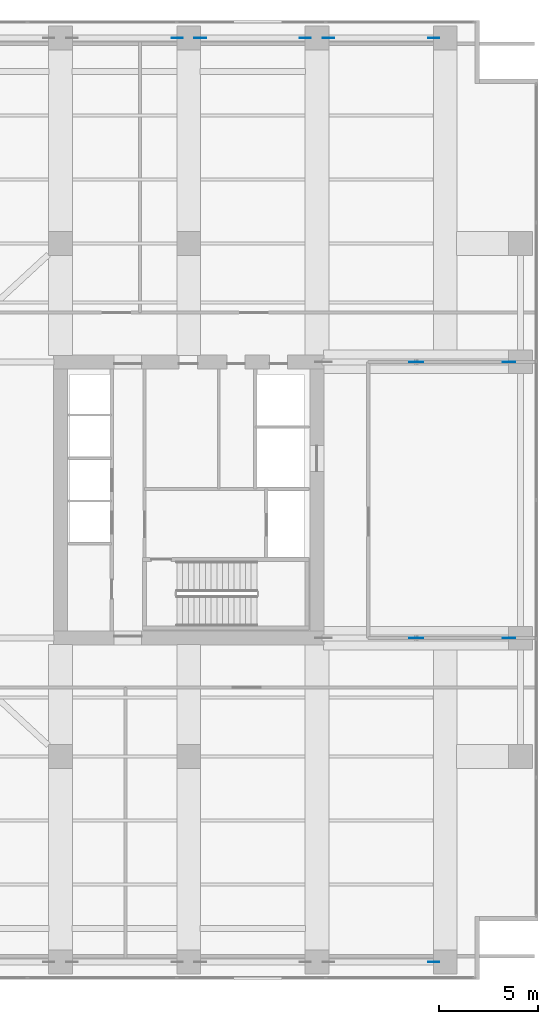
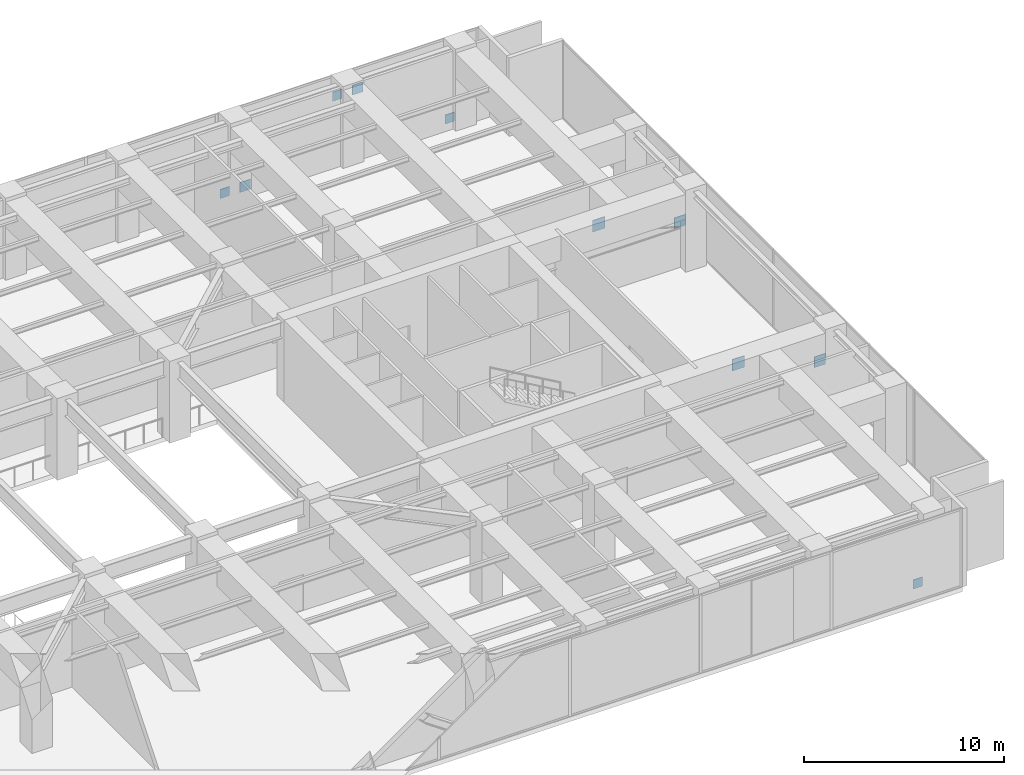
# One storey, part 20 of 28: 10 plates.
"""IFC4 building model written with IfcOpenShell, lengths in metres."""

import ifcopenshell
import ifcopenshell.guid

model = None  # the IFC model being written
_history = None  # IfcOwnerHistory: only IFC2X3 demands one
_inside = {}  # id of a spatial element -> (the spatial element, [elements in it])
_under = {}  # id of a project, library or spatial element -> (it, [spatial elements below it])
_declared = {}  # id of a project -> (the project, [libraries it declares])
_typed = {}  # id of a type object -> (the type object, [elements of that type])
_made_of = {}  # id of a material, layer set ... -> (it, [elements and type objects made of it])


def new_model(schema):
    """Start an empty IFC model of exactly this schema.

    Asked for "IFC4X3", IfcOpenShell would pick the latest addendum, in which some entities
    have other attributes; the version numbers below select the first issue.
    IFC2X3 requires an IfcOwnerHistory on every rooted entity: one is made here for all.
    """
    global model, _history
    if schema == "IFC4X3":
        model = ifcopenshell.file(schema_version=(4, 3, 0, 0))
    else:
        model = ifcopenshell.file(schema=schema)
    _inside.clear()
    _under.clear()
    _declared.clear()
    _typed.clear()
    _made_of.clear()
    _history = None
    if model.schema == "IFC2X3":
        org = make("IfcOrganization", Name="unknown")
        user = make(
            "IfcPersonAndOrganization",
            ThePerson=make("IfcPerson", FamilyName="unknown"),
            TheOrganization=org,
        )
        app = make(
            "IfcApplication",
            ApplicationDeveloper=org,
            Version="unknown",
            ApplicationFullName="unknown",
            ApplicationIdentifier="unknown",
        )
        _history = make(
            "IfcOwnerHistory",
            OwningUser=user,
            OwningApplication=app,
            ChangeAction="ADDED",
            CreationDate=0,
        )
    return model


def make(cls, **values):
    """One entity of the class cls with the attributes given. An attribute that is None is left unset."""
    return model.create_entity(
        cls, **{name: value for name, value in values.items() if value is not None}
    )


def rooted(cls, **values):
    """An entity with a GlobalId (a new one), such as an element, a storey or a relation."""
    return make(cls, GlobalId=ifcopenshell.guid.new(), OwnerHistory=_history, **values)


def si_unit(unit_type, name, prefix=None):
    """IfcSIUnit, for example si_unit("LENGTHUNIT", "METRE", prefix="MILLI")."""
    return make("IfcSIUnit", UnitType=unit_type, Prefix=prefix, Name=name)


def assignment(units):
    """IfcUnitAssignment: the units of a project."""
    return None if units is None else make("IfcUnitAssignment", Units=units)


def point(xyz):
    """IfcCartesianPoint."""
    return None if xyz is None else make("IfcCartesianPoint", Coordinates=xyz)


def direction(xyz):
    """IfcDirection."""
    return None if xyz is None else make("IfcDirection", DirectionRatios=xyz)


def frame(location, z_axis=None, x_axis=None):
    """IfcAxis2Placement3D, a coordinate frame: its origin and axes. An axis left out is left unset."""
    return make(
        "IfcAxis2Placement3D",
        Location=point(location),
        Axis=direction(z_axis),
        RefDirection=direction(x_axis),
    )


def frame_2d(location, x_axis=None):
    """IfcAxis2Placement2D, a coordinate frame in the plane: its origin and x axis."""
    return make(
        "IfcAxis2Placement2D", Location=point(location), RefDirection=direction(x_axis)
    )


def origin():
    """The frame at (0, 0, 0) with its axes left unset."""
    return frame((0.0, 0.0, 0.0))


def origin_2d():
    """The frame at (0, 0) in the plane with its x axis left unset."""
    return frame_2d((0.0, 0.0))


def place(relative_to, where):
    """IfcLocalPlacement: puts the frame where relative to a parent placement (None: the world)."""
    return make(
        "IfcLocalPlacement", PlacementRelTo=relative_to, RelativePlacement=where
    )


def context(
    kind, dimensions, precision=None, world=None, true_north=None, identifier=None
):
    """IfcGeometricRepresentationContext, for example the 3D "Model" context."""
    return make(
        "IfcGeometricRepresentationContext",
        ContextIdentifier=identifier,
        ContextType=kind,
        CoordinateSpaceDimension=dimensions,
        Precision=precision,
        WorldCoordinateSystem=world,
        TrueNorth=true_north,
    )


def subcontext(parent, identifier, kind, view, scale=None):
    """IfcGeometricRepresentationSubContext, for example "Body" below "Model"."""
    return make(
        "IfcGeometricRepresentationSubContext",
        ContextIdentifier=identifier,
        ContextType=kind,
        ParentContext=parent,
        TargetScale=scale,
        TargetView=view,
    )


def project(units=None, contexts=None):
    """IfcProject with its units and contexts."""
    return rooted(
        "IfcProject",
        Name="project",
        RepresentationContexts=contexts,
        UnitsInContext=assignment(units),
    )


def spatial(cls, under=None, at=None, **own):
    """A site, building, storey or space (cls), placed at a placement, below another one or the project."""
    s = rooted(cls, ObjectPlacement=at, **own)
    if under is not None:
        _under.setdefault(under.id(), (under, []))[1].append(s)
    return s


def profile(cls, at=None, kind="AREA", **sizes):
    """A parametric profile (cls). Its sizes go by their IFC names, for example OverallWidth=200.0."""
    return make(cls, ProfileType=kind, Position=at, **sizes)


def rectangle(**sizes):
    """IfcRectangleProfileDef."""
    return profile("IfcRectangleProfileDef", **sizes)


def extrude(swept, where, along, depth):
    """IfcExtrudedAreaSolid: the profile swept, set in the frame where, extruded along a direction by depth."""
    return make(
        "IfcExtrudedAreaSolid",
        SweptArea=swept,
        Position=where,
        ExtrudedDirection=direction(along),
        Depth=depth,
    )


def shape(context_of_items, identifier, shape_type, items):
    """IfcShapeRepresentation: the items that make up one representation, for example the "Body"."""
    return make(
        "IfcShapeRepresentation",
        ContextOfItems=context_of_items,
        RepresentationIdentifier=identifier,
        RepresentationType=shape_type,
        Items=items,
    )


def material(Name=None, Category=None):
    """IfcMaterial."""
    return make("IfcMaterial", Name=Name, Category=Category)


def layer(
    of_material, thickness, ventilated=None, Name=None, Category=None, Priority=None
):
    """IfcMaterialLayer: one layer of a wall or slab, of a material (None: an air gap)."""
    return make(
        "IfcMaterialLayer",
        Material=of_material,
        LayerThickness=thickness,
        IsVentilated=ventilated,
        Name=Name,
        Category=Category,
        Priority=Priority,
    )


def layer_set(layers, Name=None):
    """IfcMaterialLayerSet."""
    return make("IfcMaterialLayerSet", MaterialLayers=layers, LayerSetName=Name)


def made_of(thing, what):
    """Note that an element or type object is made of a material, layer set ...; save() writes the relation."""
    if what is not None:
        _made_of.setdefault(what.id(), (what, []))[1].append(thing)
    return thing


def type_object(cls, material=None, **own):
    """A type object (cls), such as IfcWallType, which elements share."""
    return made_of(rooted(cls, **own), material)


def element(
    cls,
    number,
    at=None,
    inside=None,
    cuts=None,
    type_object=None,
    material=None,
    context=None,
    identifier="Body",
    shape_type=None,
    held_by="IfcProductDefinitionShape",
    body=None,
    shapes=None,
    **own,
):
    """One element of the class cls, such as IfcWall. Its Tag is "e" and its number.

    at: its placement. inside: the storey or other place that contains it. cuts: it is an
    opening in that element (IfcRelVoidsElement). A single representation is given by context,
    identifier, shape_type and body (its items); several are given by shapes. held_by: the class
    of the entity that holds the representations. save() writes the other relations.
    """
    e = rooted(cls, Tag="e%d" % number, ObjectPlacement=at, **own)
    if body is not None:
        shapes = [shape(context, identifier, shape_type, body)]
    if shapes is not None:
        e.Representation = make(held_by, Representations=shapes)
    if inside is not None:
        _inside.setdefault(inside.id(), (inside, []))[1].append(e)
    if cuts is not None:
        rooted(
            "IfcRelVoidsElement", RelatingBuildingElement=cuts, RelatedOpeningElement=e
        )
    if type_object is not None:
        _typed.setdefault(type_object.id(), (type_object, []))[1].append(e)
    return made_of(e, material)


def aggregate(whole, parts):
    """IfcRelAggregates: a whole, such as a stair, and the parts it consists of."""
    return rooted("IfcRelAggregates", RelatingObject=whole, RelatedObjects=parts)


def save(model, path):
    """Write the relations noted so far, then the file.

    IfcRelAggregates (storeys below a building ...), IfcRelContainedInSpatialStructure (elements
    in a storey), IfcRelDefinesByType, IfcRelAssociatesMaterial and IfcRelDeclares: one each for
    every whole, place, type object, material and project.
    """
    for whole, parts in _under.values():
        aggregate(whole, parts)
    for where, things in _inside.values():
        rooted(
            "IfcRelContainedInSpatialStructure",
            RelatedElements=things,
            RelatingStructure=where,
        )
    for kind, things in _typed.values():
        rooted("IfcRelDefinesByType", RelatedObjects=things, RelatingType=kind)
    for what, things in _made_of.values():
        rooted("IfcRelAssociatesMaterial", RelatedObjects=things, RelatingMaterial=what)
    for by, libraries in _declared.values():
        rooted("IfcRelDeclares", RelatingContext=by, RelatedDefinitions=libraries)
    model.write(path)


model = new_model("IFC4")

# Units and contexts
model_context = context("Model", 3, precision=1e-05, world=origin(), true_north=direction((0.0, 1.0)))
body_context = subcontext(model_context, "Body", "Model", "MODEL_VIEW")
ifc_project = project(units=[si_unit("LENGTHUNIT", "METRE"), si_unit("AREAUNIT", "SQUARE_METRE"), si_unit("VOLUMEUNIT", "CUBIC_METRE"), si_unit("PLANEANGLEUNIT", "RADIAN"), si_unit("MASSUNIT", "GRAM", prefix="KILO")], contexts=[model_context])

# Site, building, storey
site_placement = place(None, origin())
site = spatial("IfcSite", under=ifc_project, at=site_placement, CompositionType="ELEMENT")
building_placement = place(site_placement, origin())
building = spatial("IfcBuilding", under=site, at=building_placement, Name="Putna Gate Headquarters", CompositionType="ELEMENT")
storey_placement = place(building_placement, frame((0.0, 0.0, 139.199951171875)))
storey = spatial("IfcBuildingStorey", under=building, at=storey_placement, Name="L34", CompositionType="ELEMENT", Elevation=139.199951171875)

# Plates
ifc_material = material(Name="Steel S460M", Category="steel")
ifc_layer_1 = layer(ifc_material, 0.035888671875)
ifc_layer_set_1 = layer_set([ifc_layer_1], Name="Steel S460M")
plate_type_1 = type_object("IfcPlateType", Name="PLT-NODE-BN1", PredefinedType="SHEET", material=ifc_layer_set_1)
for number, where, z_axis, x_axis, name in (
    (1, (59.0849609375, 49.419921875, 0.14990234375), (0.0, 0.0, 1.0), (1.0, 0.0, 0.0), "L34 Belt Truss Node Gusset Plate N9-E1"),
    (2, (65.5849609375, 49.419921875, 3.822021484375), (0.0, 0.0, 1.0), (1.0, 0.0, 0.0), "L34 Belt Truss Node Gusset Plate N10-E1"),
):
    element("IfcPlate", number, at=place(storey_placement, frame(where, z_axis=z_axis, x_axis=x_axis)), inside=storey, type_object=plate_type_1, Name=name, PredefinedType="SHEET", context=body_context, shape_type="SweptSolid", body=[
        extrude(rectangle(XDim=0.60009765625, YDim=0.035888671875, at=origin_2d()), origin(), (0.0, 0.0, 1.0), 0.60009765625),
    ])
ifc_layer_2 = layer(ifc_material, 0.035888671875)
ifc_layer_set_2 = layer_set([ifc_layer_2], Name="Steel S460M")
plate_type_2 = type_object("IfcPlateType", Name="PLT-NODE-BN2", PredefinedType="SHEET", material=ifc_layer_set_2)
for number, where, z_axis, x_axis, name in (
    (3, (70.9150390625, 2.580078125, 0.1748046875), (0.0, 0.0, 1.0), (1.0, 0.0, 0.0), "L34 Belt Truss Node Gusset Plate S10-E2"),
    (4, (57.9150390625, 49.419921875, 0.1748046875), (0.0, 0.0, 1.0), (1.0, 0.0, 0.0), "L34 Belt Truss Node Gusset Plate N8-E2"),
    (5, (64.4150390625, 49.419921875, 3.84716796875), (0.0, 0.0, 1.0), (1.0, 0.0, 0.0), "L34 Belt Truss Node Gusset Plate N9-E2"),
    (6, (70.9150390625, 49.419921875, 0.1748046875), (0.0, 0.0, 1.0), (1.0, 0.0, 0.0), "L34 Belt Truss Node Gusset Plate N10-E2"),
):
    element("IfcPlate", number, at=place(storey_placement, frame(where, z_axis=z_axis, x_axis=x_axis)), inside=storey, type_object=plate_type_2, Name=name, PredefinedType="SHEET", context=body_context, shape_type="SweptSolid", body=[
        extrude(rectangle(XDim=0.550048828125, YDim=0.035888671875, at=origin_2d()), origin(), (0.0, 0.0, 1.0), 0.550048828125),
    ])
ifc_layer_3 = layer(ifc_material, 0.0400390625)
ifc_layer_set_3 = layer_set([ifc_layer_3], Name="Steel S460M")
plate_type_3 = type_object("IfcPlateType", Name="PLT-NODE-ON2", PredefinedType="SHEET", material=ifc_layer_set_3)
for number, where, z_axis, x_axis, name in (
    (7, (70.034912109375, 19.0, 3.8720703125), (0.0, 0.0, 1.0), (1.0, 0.0, 0.0), "L34 Outrigger Node Plate ON2 ES"),
    (8, (70.034912109375, 33.0, 3.8720703125), (0.0, 0.0, 1.0), (1.0, 0.0, 0.0), "L34 Outrigger Node Plate ON2 EN"),
):
    element("IfcPlate", number, at=place(storey_placement, frame(where, z_axis=z_axis, x_axis=x_axis)), inside=storey, type_object=plate_type_3, Name=name, PredefinedType="SHEET", context=body_context, shape_type="SweptSolid", body=[
        extrude(rectangle(XDim=0.699951171875, YDim=0.0400390625, at=origin_2d()), origin(), (0.0, 0.0, 1.0), 0.699951171875),
    ])
ifc_layer_4 = layer(ifc_material, 0.0400390625)
ifc_layer_set_4 = layer_set([ifc_layer_4], Name="Steel S460M")
plate_type_4 = type_object("IfcPlateType", Name="PLT-NODE-ON3", PredefinedType="SHEET", material=ifc_layer_set_4)
for number, where, z_axis, x_axis, name in (
    (9, (74.735107421875, 19.0, 2.425048828125), (0.0, 0.0, 1.0), (1.0, 0.0, 0.0), "L34 Outrigger Node Plate ON3 ES"),
    (10, (74.735107421875, 33.0, 2.425048828125), (0.0, 0.0, 1.0), (1.0, 0.0, 0.0), "L34 Outrigger Node Plate ON3 EN"),
):
    element("IfcPlate", number, at=place(storey_placement, frame(where, z_axis=z_axis, x_axis=x_axis)), inside=storey, type_object=plate_type_4, Name=name, PredefinedType="SHEET", context=body_context, shape_type="SweptSolid", body=[
        extrude(rectangle(XDim=0.64990234375, YDim=0.0400390625, at=origin_2d()), origin(), (0.0, 0.0, 1.0), 0.64990234375),
    ])

save(model, "model.ifc")
